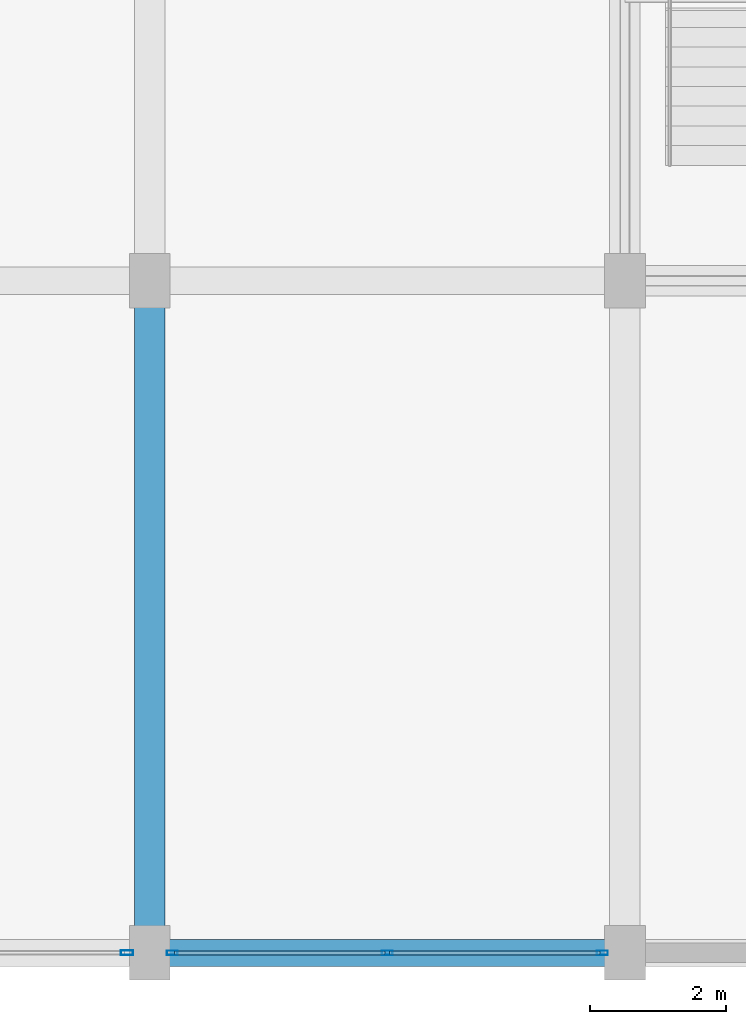
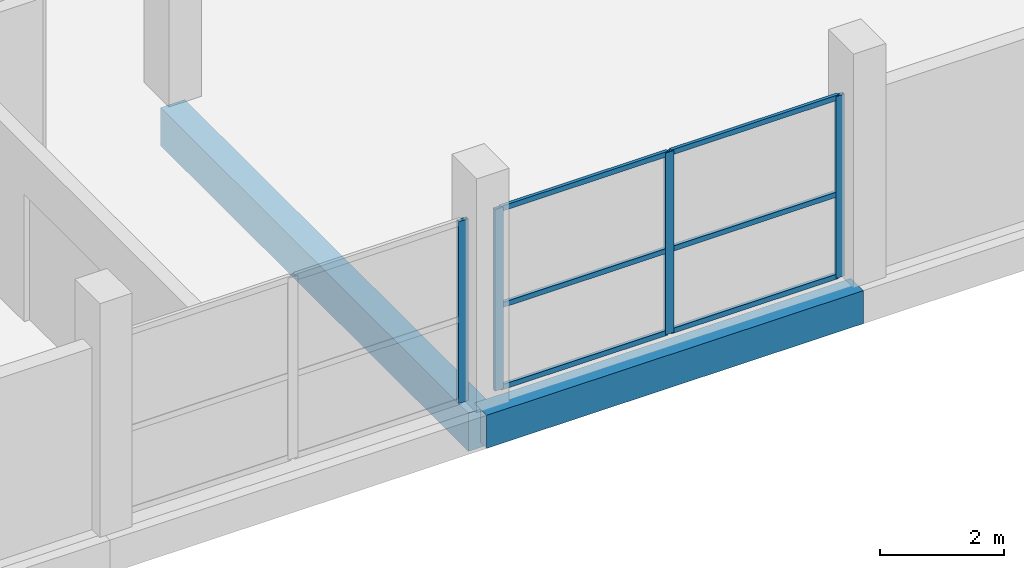
# One storey, part 4 of 58: 10 members, 2 beams, 2 elements without a shape of their own.
"""IFC4 building model written with IfcOpenShell, lengths in metres."""

from ifc_helpers import new_model, si_unit, direction, frame, origin, origin_2d, place, context, subcontext, project, spatial, rectangle, hollow_rectangle, extrude, material, layer, layer_set, material_profile, profile_set, type_object, element, aggregate, save


model = new_model("IFC4")

# Units and contexts
model_context = context("Model", 3, precision=1e-05, world=origin(), true_north=direction((0.0, 1.0)))
body_context = subcontext(model_context, "Body", "Model", "MODEL_VIEW")
ifc_project = project(units=[si_unit("LENGTHUNIT", "METRE"), si_unit("AREAUNIT", "SQUARE_METRE"), si_unit("VOLUMEUNIT", "CUBIC_METRE"), si_unit("PLANEANGLEUNIT", "RADIAN"), si_unit("MASSUNIT", "GRAM", prefix="KILO")], contexts=[model_context])

# Site, building, storey
site_placement = place(None, origin())
site = spatial("IfcSite", under=ifc_project, at=site_placement, CompositionType="ELEMENT")
building_placement = place(site_placement, origin())
building = spatial("IfcBuilding", under=site, at=building_placement, Name="Sillaruma Civic Art Gallery", CompositionType="ELEMENT")
storey_placement = place(building_placement, frame((0.0, 0.0, 28.56005859375)))
storey = spatial("IfcBuildingStorey", under=building, at=storey_placement, Name="L05", CompositionType="ELEMENT", Elevation=28.56005859375)

# Beams
ifc_material_1 = material(Name="Concrete H40 (40 MPa)", Category="concrete")
ifc_material_profile_1 = material_profile(ifc_material_1, rectangle(XDim=0.449951171875, YDim=0.75, at=origin_2d()), Name="RCB450x750")
ifc_profile_set_1 = profile_set([ifc_material_profile_1], Name="Concrete H40 (40 MPa)")
beam_type_1 = type_object("IfcBeamType", Name="BM-BEAM-RCB450x750", PredefinedType="BEAM", material=ifc_profile_set_1)
beam_1_placement = place(storey_placement, frame((77.0, 19.800048828125, -0.655029296875), z_axis=(0.0, 1.0, 0.0), x_axis=(-1.0, 0.0, 0.0)))
element("IfcBeam", 1, at=beam_1_placement, inside=storey, type_object=beam_type_1, Name="Beam BM-03 (L04:H:3-4)", PredefinedType="BEAM", context=body_context, shape_type="SweptSolid", body=[
    extrude(rectangle(XDim=0.449951171875, YDim=0.75, at=origin_2d()), origin(), (0.0, 0.0, 1.0), 9.89990234375),
])
ifc_material_2 = material(Name="Concrete H35 (35 MPa)", Category="concrete")
ifc_material_profile_2 = material_profile(ifc_material_2, rectangle(XDim=0.39990234375, YDim=0.64990234375, at=origin_2d()), Name="RCB400x650")
ifc_profile_set_2 = profile_set([ifc_material_profile_2], Name="Concrete H35 (35 MPa)")
beam_type_2 = type_object("IfcBeamType", Name="BM-SPANDREL-RCB400x650", PredefinedType="SPANDREL", material=ifc_profile_set_2)
beam_2_placement = place(storey_placement, frame((77.0, 19.800048828125, -0.60498046875), z_axis=(1.0, 0.0, 0.0), x_axis=(0.0, 1.0, 0.0)))
element("IfcBeam", 2, at=beam_2_placement, inside=storey, type_object=beam_type_2, Name="Beam BS-02 (L04:3:H-J)", PredefinedType="SPANDREL", context=body_context, shape_type="SweptSolid", body=[
    extrude(rectangle(XDim=0.39990234375, YDim=0.64990234375, at=origin_2d()), origin(), (0.0, 0.0, 1.0), 7.0),
])

# Curtain wall, members
ifc_material_3 = material(Name="Thermally Broken Extruded Aluminium 6063-T6", Category="aluminium")
ifc_layer_1 = layer(ifc_material_3, 0.159912109375, Name="Thermally Broken Extruded Aluminium 6063-T6")
ifc_layer_set_1 = layer_set([ifc_layer_1], Name="Thermally Broken Extruded Aluminium 6063-T6")
curtain_wall_type_1 = type_object("IfcCurtainWallType", Name="CW-UNI-37", PredefinedType="NOTDEFINED", material=ifc_layer_set_1)
curtain_wall_1_placement = place(storey_placement, origin())
curtain_wall_1 = element("IfcCurtainWall", 3, at=curtain_wall_1_placement, inside=storey, type_object=curtain_wall_type_1, Name="Unitised Curtain Wall CW-37 (CW-L05-S-3)", PredefinedType="NOTDEFINED")
ifc_material_profile_3 = material_profile(ifc_material_3, hollow_rectangle(XDim=0.06494140625, YDim=0.159912109375, WallThickness=0.00390625, at=origin_2d()), Name="CWM65x160")
ifc_profile_set_3 = profile_set([ifc_material_profile_3], Name="Thermally Broken Extruded Aluminium 6063-T6")
member_type_1 = type_object("IfcMemberType", Name="MEM-MUL-CWM65x160", PredefinedType="MULLION", material=ifc_profile_set_3)
member_1_placement = place(storey_placement, frame((77.33251953125, 19.800048828125, 0.0), z_axis=(0.0, 0.0, 1.0), x_axis=(0.0, 1.0, 0.0)))
member_1 = element("IfcMember", 4, at=member_1_placement, type_object=member_type_1, Name="CW-37 mullion 1", PredefinedType="MULLION", context=body_context, shape_type="SweptSolid", body=[
    extrude(hollow_rectangle(XDim=0.06494140625, YDim=0.159912109375, WallThickness=0.00390625, at=origin_2d()), origin(), (0.0, 0.0, 1.0), 3.56982421875),
])
member_2_placement = place(storey_placement, frame((80.5, 19.800048828125, 0.0), z_axis=(0.0, 0.0, 1.0), x_axis=(0.0, 1.0, 0.0)))
member_2 = element("IfcMember", 5, at=member_2_placement, type_object=member_type_1, Name="CW-37 mullion 2", PredefinedType="MULLION", context=body_context, shape_type="SweptSolid", body=[
    extrude(hollow_rectangle(XDim=0.06494140625, YDim=0.159912109375, WallThickness=0.00390625, at=origin_2d()), origin(), (0.0, 0.0, 1.0), 3.56982421875),
])
member_3_placement = place(storey_placement, frame((83.66748046875, 19.800048828125, 0.0), z_axis=(0.0, 0.0, 1.0), x_axis=(0.0, 1.0, 0.0)))
member_3 = element("IfcMember", 6, at=member_3_placement, type_object=member_type_1, Name="CW-37 mullion 3", PredefinedType="MULLION", context=body_context, shape_type="SweptSolid", body=[
    extrude(hollow_rectangle(XDim=0.06494140625, YDim=0.159912109375, WallThickness=0.00390625, at=origin_2d()), origin(), (0.0, 0.0, 1.0), 3.56982421875),
])

# Curtain wall, member
ifc_layer_2 = layer(ifc_material_3, 0.179931640625, Name="Thermally Broken Extruded Aluminium 6063-T6")
ifc_layer_set_2 = layer_set([ifc_layer_2], Name="Thermally Broken Extruded Aluminium 6063-T6")
curtain_wall_type_2 = type_object("IfcCurtainWallType", Name="CW-UNI-36", PredefinedType="NOTDEFINED", material=ifc_layer_set_2)
curtain_wall_2_placement = place(storey_placement, origin())
curtain_wall_2 = element("IfcCurtainWall", 7, at=curtain_wall_2_placement, inside=storey, type_object=curtain_wall_type_2, Name="Unitised Curtain Wall CW-36 (CW-L05-S-2)", PredefinedType="NOTDEFINED")
ifc_material_profile_4 = material_profile(ifc_material_3, hollow_rectangle(XDim=0.070068359375, YDim=0.179931640625, WallThickness=0.00390625, at=origin_2d()), Name="CWM70x180")
ifc_profile_set_4 = profile_set([ifc_material_profile_4], Name="Thermally Broken Extruded Aluminium 6063-T6")
member_type_2 = type_object("IfcMemberType", Name="MEM-MUL-CWM70x180", PredefinedType="MULLION", material=ifc_profile_set_4)
member_4_placement = place(storey_placement, frame((76.6650390625, 19.800048828125, 0.0), z_axis=(0.0, 0.0, 1.0), x_axis=(0.0, 1.0, 0.0)))
member_4 = element("IfcMember", 8, at=member_4_placement, type_object=member_type_2, Name="CW-36 mullion 3", PredefinedType="MULLION", context=body_context, shape_type="SweptSolid", body=[
    extrude(hollow_rectangle(XDim=0.070068359375, YDim=0.179931640625, WallThickness=0.00390625, at=origin_2d()), origin(), (0.0, 0.0, 1.0), 3.56982421875),
])
aggregate(curtain_wall_2, [member_4])

# Member
ifc_material_profile_5 = material_profile(ifc_material_3, hollow_rectangle(XDim=0.06005859375, YDim=0.10009765625, WallThickness=0.003173828125, at=origin_2d()), Name="CWT60x100")
ifc_profile_set_5 = profile_set([ifc_material_profile_5], Name="Thermally Broken Extruded Aluminium 6063-T6")
member_type_3 = type_object("IfcMemberType", Name="MEM-TRN-CWT60x100", PredefinedType="USERDEFINED", material=ifc_profile_set_5)
member_5_placement = place(storey_placement, frame((77.364990234375, 19.800048828125, 0.030029296875), z_axis=(1.0, 0.0, 0.0), x_axis=(0.0, 1.0, 0.0)))
member_5 = element("IfcMember", 9, at=member_5_placement, type_object=member_type_3, Name="CW-37 transom 1.1", ObjectType="TRANSOM", PredefinedType="USERDEFINED", context=body_context, shape_type="SweptSolid", body=[
    extrude(hollow_rectangle(XDim=0.06005859375, YDim=0.10009765625, WallThickness=0.003173828125, at=origin_2d()), origin(), (0.0, 0.0, 1.0), 3.1025390625),
])

member_6_placement = place(storey_placement, frame((77.364990234375, 19.800048828125, 1.64208984375), z_axis=(1.0, 0.0, 0.0), x_axis=(0.0, 1.0, 0.0)))
member_6 = element("IfcMember", 10, at=member_6_placement, type_object=member_type_3, Name="CW-37 transom 1.2", ObjectType="TRANSOM", PredefinedType="USERDEFINED", context=body_context, shape_type="SweptSolid", body=[
    extrude(hollow_rectangle(XDim=0.06005859375, YDim=0.10009765625, WallThickness=0.003173828125, at=origin_2d()), origin(), (0.0, 0.0, 1.0), 3.1025390625),
])

member_7_placement = place(storey_placement, frame((77.364990234375, 19.800048828125, 3.5400390625), z_axis=(1.0, 0.0, 0.0), x_axis=(0.0, 1.0, 0.0)))
member_7 = element("IfcMember", 11, at=member_7_placement, type_object=member_type_3, Name="CW-37 transom 1.3", ObjectType="TRANSOM", PredefinedType="USERDEFINED", context=body_context, shape_type="SweptSolid", body=[
    extrude(hollow_rectangle(XDim=0.06005859375, YDim=0.10009765625, WallThickness=0.003173828125, at=origin_2d()), origin(), (0.0, 0.0, 1.0), 3.1025390625),
])

member_8_placement = place(storey_placement, frame((80.532470703125, 19.800048828125, 0.030029296875), z_axis=(1.0, 0.0, 0.0), x_axis=(0.0, 1.0, 0.0)))
member_8 = element("IfcMember", 12, at=member_8_placement, type_object=member_type_3, Name="CW-37 transom 2.1", ObjectType="TRANSOM", PredefinedType="USERDEFINED", context=body_context, shape_type="SweptSolid", body=[
    extrude(hollow_rectangle(XDim=0.06005859375, YDim=0.10009765625, WallThickness=0.003173828125, at=origin_2d()), origin(), (0.0, 0.0, 1.0), 3.1025390625),
])

member_9_placement = place(storey_placement, frame((80.532470703125, 19.800048828125, 1.64208984375), z_axis=(1.0, 0.0, 0.0), x_axis=(0.0, 1.0, 0.0)))
member_9 = element("IfcMember", 13, at=member_9_placement, type_object=member_type_3, Name="CW-37 transom 2.2", ObjectType="TRANSOM", PredefinedType="USERDEFINED", context=body_context, shape_type="SweptSolid", body=[
    extrude(hollow_rectangle(XDim=0.06005859375, YDim=0.10009765625, WallThickness=0.003173828125, at=origin_2d()), origin(), (0.0, 0.0, 1.0), 3.1025390625),
])

member_10_placement = place(storey_placement, frame((80.532470703125, 19.800048828125, 3.5400390625), z_axis=(1.0, 0.0, 0.0), x_axis=(0.0, 1.0, 0.0)))
member_10 = element("IfcMember", 14, at=member_10_placement, type_object=member_type_3, Name="CW-37 transom 2.3", ObjectType="TRANSOM", PredefinedType="USERDEFINED", context=body_context, shape_type="SweptSolid", body=[
    extrude(hollow_rectangle(XDim=0.06005859375, YDim=0.10009765625, WallThickness=0.003173828125, at=origin_2d()), origin(), (0.0, 0.0, 1.0), 3.1025390625),
])

aggregate(curtain_wall_1, [member_1, member_2, member_3, member_5, member_6, member_7, member_8, member_9, member_10])

save(model, "model.ifc")
